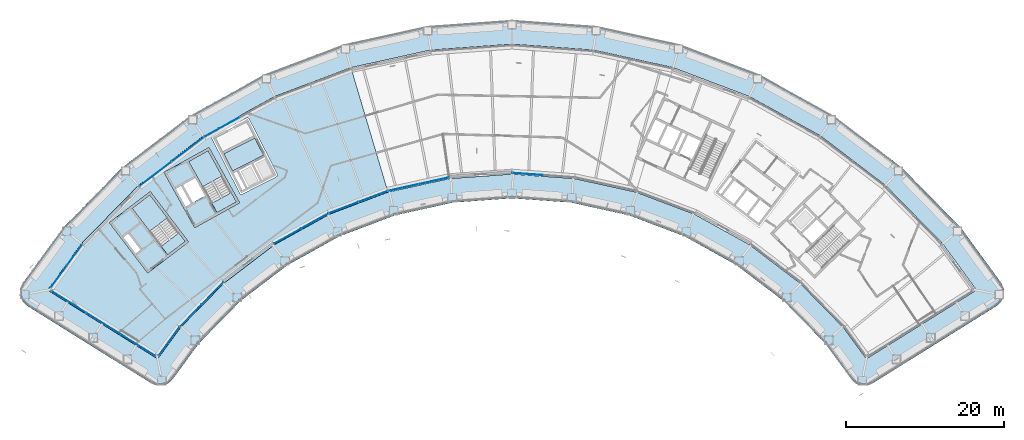
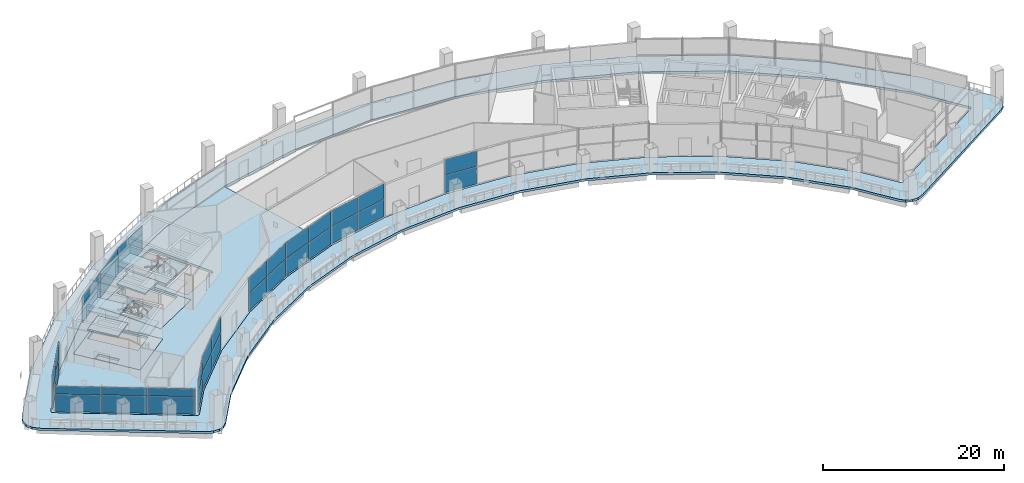
# One storey, part 13 of 28: 36 plates, 11 slabs, 12 elements without a shape of their own.
"""IFC4 building model written with IfcOpenShell, lengths in metres."""

import ifcopenshell
import ifcopenshell.guid

model = None  # the IFC model being written
_history = None  # IfcOwnerHistory: only IFC2X3 demands one
_inside = {}  # id of a spatial element -> (the spatial element, [elements in it])
_under = {}  # id of a project, library or spatial element -> (it, [spatial elements below it])
_declared = {}  # id of a project -> (the project, [libraries it declares])
_typed = {}  # id of a type object -> (the type object, [elements of that type])
_made_of = {}  # id of a material, layer set ... -> (it, [elements and type objects made of it])


def new_model(schema):
    """Start an empty IFC model of exactly this schema.

    Asked for "IFC4X3", IfcOpenShell would pick the latest addendum, in which some entities
    have other attributes; the version numbers below select the first issue.
    IFC2X3 requires an IfcOwnerHistory on every rooted entity: one is made here for all.
    """
    global model, _history
    if schema == "IFC4X3":
        model = ifcopenshell.file(schema_version=(4, 3, 0, 0))
    else:
        model = ifcopenshell.file(schema=schema)
    _inside.clear()
    _under.clear()
    _declared.clear()
    _typed.clear()
    _made_of.clear()
    _history = None
    if model.schema == "IFC2X3":
        org = make("IfcOrganization", Name="unknown")
        user = make(
            "IfcPersonAndOrganization",
            ThePerson=make("IfcPerson", FamilyName="unknown"),
            TheOrganization=org,
        )
        app = make(
            "IfcApplication",
            ApplicationDeveloper=org,
            Version="unknown",
            ApplicationFullName="unknown",
            ApplicationIdentifier="unknown",
        )
        _history = make(
            "IfcOwnerHistory",
            OwningUser=user,
            OwningApplication=app,
            ChangeAction="ADDED",
            CreationDate=0,
        )
    return model


def make(cls, **values):
    """One entity of the class cls with the attributes given. An attribute that is None is left unset."""
    return model.create_entity(
        cls, **{name: value for name, value in values.items() if value is not None}
    )


def rooted(cls, **values):
    """An entity with a GlobalId (a new one), such as an element, a storey or a relation."""
    return make(cls, GlobalId=ifcopenshell.guid.new(), OwnerHistory=_history, **values)


def si_unit(unit_type, name, prefix=None):
    """IfcSIUnit, for example si_unit("LENGTHUNIT", "METRE", prefix="MILLI")."""
    return make("IfcSIUnit", UnitType=unit_type, Prefix=prefix, Name=name)


def assignment(units):
    """IfcUnitAssignment: the units of a project."""
    return None if units is None else make("IfcUnitAssignment", Units=units)


def point(xyz):
    """IfcCartesianPoint."""
    return None if xyz is None else make("IfcCartesianPoint", Coordinates=xyz)


def direction(xyz):
    """IfcDirection."""
    return None if xyz is None else make("IfcDirection", DirectionRatios=xyz)


def frame(location, z_axis=None, x_axis=None):
    """IfcAxis2Placement3D, a coordinate frame: its origin and axes. An axis left out is left unset."""
    return make(
        "IfcAxis2Placement3D",
        Location=point(location),
        Axis=direction(z_axis),
        RefDirection=direction(x_axis),
    )


def frame_2d(location, x_axis=None):
    """IfcAxis2Placement2D, a coordinate frame in the plane: its origin and x axis."""
    return make(
        "IfcAxis2Placement2D", Location=point(location), RefDirection=direction(x_axis)
    )


def origin():
    """The frame at (0, 0, 0) with its axes left unset."""
    return frame((0.0, 0.0, 0.0))


def origin_2d():
    """The frame at (0, 0) in the plane with its x axis left unset."""
    return frame_2d((0.0, 0.0))


def place(relative_to, where):
    """IfcLocalPlacement: puts the frame where relative to a parent placement (None: the world)."""
    return make(
        "IfcLocalPlacement", PlacementRelTo=relative_to, RelativePlacement=where
    )


def context(
    kind, dimensions, precision=None, world=None, true_north=None, identifier=None
):
    """IfcGeometricRepresentationContext, for example the 3D "Model" context."""
    return make(
        "IfcGeometricRepresentationContext",
        ContextIdentifier=identifier,
        ContextType=kind,
        CoordinateSpaceDimension=dimensions,
        Precision=precision,
        WorldCoordinateSystem=world,
        TrueNorth=true_north,
    )


def subcontext(parent, identifier, kind, view, scale=None):
    """IfcGeometricRepresentationSubContext, for example "Body" below "Model"."""
    return make(
        "IfcGeometricRepresentationSubContext",
        ContextIdentifier=identifier,
        ContextType=kind,
        ParentContext=parent,
        TargetScale=scale,
        TargetView=view,
    )


def project(units=None, contexts=None):
    """IfcProject with its units and contexts."""
    return rooted(
        "IfcProject",
        Name="project",
        RepresentationContexts=contexts,
        UnitsInContext=assignment(units),
    )


def spatial(cls, under=None, at=None, **own):
    """A site, building, storey or space (cls), placed at a placement, below another one or the project."""
    s = rooted(cls, ObjectPlacement=at, **own)
    if under is not None:
        _under.setdefault(under.id(), (under, []))[1].append(s)
    return s


def polyline(points):
    """IfcPolyline through the points."""
    return make("IfcPolyline", Points=[point(p) for p in points])


def profile(cls, at=None, kind="AREA", **sizes):
    """A parametric profile (cls). Its sizes go by their IFC names, for example OverallWidth=200.0."""
    return make(cls, ProfileType=kind, Position=at, **sizes)


def rectangle(**sizes):
    """IfcRectangleProfileDef."""
    return profile("IfcRectangleProfileDef", **sizes)


def outline(outer, holes=None, kind="AREA"):
    """IfcArbitraryClosedProfileDef: a profile drawn as a closed curve; with holes, ...WithVoids."""
    if holes is None:
        return make("IfcArbitraryClosedProfileDef", ProfileType=kind, OuterCurve=outer)
    return make(
        "IfcArbitraryProfileDefWithVoids",
        ProfileType=kind,
        OuterCurve=outer,
        InnerCurves=holes,
    )


def extrude(swept, where, along, depth):
    """IfcExtrudedAreaSolid: the profile swept, set in the frame where, extruded along a direction by depth."""
    return make(
        "IfcExtrudedAreaSolid",
        SweptArea=swept,
        Position=where,
        ExtrudedDirection=direction(along),
        Depth=depth,
    )


def shape(context_of_items, identifier, shape_type, items):
    """IfcShapeRepresentation: the items that make up one representation, for example the "Body"."""
    return make(
        "IfcShapeRepresentation",
        ContextOfItems=context_of_items,
        RepresentationIdentifier=identifier,
        RepresentationType=shape_type,
        Items=items,
    )


def material(Name=None, Category=None):
    """IfcMaterial."""
    return make("IfcMaterial", Name=Name, Category=Category)


def layer(
    of_material, thickness, ventilated=None, Name=None, Category=None, Priority=None
):
    """IfcMaterialLayer: one layer of a wall or slab, of a material (None: an air gap)."""
    return make(
        "IfcMaterialLayer",
        Material=of_material,
        LayerThickness=thickness,
        IsVentilated=ventilated,
        Name=Name,
        Category=Category,
        Priority=Priority,
    )


def layer_set(layers, Name=None):
    """IfcMaterialLayerSet."""
    return make("IfcMaterialLayerSet", MaterialLayers=layers, LayerSetName=Name)


def made_of(thing, what):
    """Note that an element or type object is made of a material, layer set ...; save() writes the relation."""
    if what is not None:
        _made_of.setdefault(what.id(), (what, []))[1].append(thing)
    return thing


def type_object(cls, material=None, **own):
    """A type object (cls), such as IfcWallType, which elements share."""
    return made_of(rooted(cls, **own), material)


def element(
    cls,
    number,
    at=None,
    inside=None,
    cuts=None,
    type_object=None,
    material=None,
    context=None,
    identifier="Body",
    shape_type=None,
    held_by="IfcProductDefinitionShape",
    body=None,
    shapes=None,
    **own,
):
    """One element of the class cls, such as IfcWall. Its Tag is "e" and its number.

    at: its placement. inside: the storey or other place that contains it. cuts: it is an
    opening in that element (IfcRelVoidsElement). A single representation is given by context,
    identifier, shape_type and body (its items); several are given by shapes. held_by: the class
    of the entity that holds the representations. save() writes the other relations.
    """
    e = rooted(cls, Tag="e%d" % number, ObjectPlacement=at, **own)
    if body is not None:
        shapes = [shape(context, identifier, shape_type, body)]
    if shapes is not None:
        e.Representation = make(held_by, Representations=shapes)
    if inside is not None:
        _inside.setdefault(inside.id(), (inside, []))[1].append(e)
    if cuts is not None:
        rooted(
            "IfcRelVoidsElement", RelatingBuildingElement=cuts, RelatedOpeningElement=e
        )
    if type_object is not None:
        _typed.setdefault(type_object.id(), (type_object, []))[1].append(e)
    return made_of(e, material)


def aggregate(whole, parts):
    """IfcRelAggregates: a whole, such as a stair, and the parts it consists of."""
    return rooted("IfcRelAggregates", RelatingObject=whole, RelatedObjects=parts)


def save(model, path):
    """Write the relations noted so far, then the file.

    IfcRelAggregates (storeys below a building ...), IfcRelContainedInSpatialStructure (elements
    in a storey), IfcRelDefinesByType, IfcRelAssociatesMaterial and IfcRelDeclares: one each for
    every whole, place, type object, material and project.
    """
    for whole, parts in _under.values():
        aggregate(whole, parts)
    for where, things in _inside.values():
        rooted(
            "IfcRelContainedInSpatialStructure",
            RelatedElements=things,
            RelatingStructure=where,
        )
    for kind, things in _typed.values():
        rooted("IfcRelDefinesByType", RelatedObjects=things, RelatingType=kind)
    for what, things in _made_of.values():
        rooted("IfcRelAssociatesMaterial", RelatedObjects=things, RelatingMaterial=what)
    for by, libraries in _declared.values():
        rooted("IfcRelDeclares", RelatingContext=by, RelatedDefinitions=libraries)
    model.write(path)


model = new_model("IFC4")

# Units and contexts
model_context = context("Model", 3, precision=1e-05, world=origin(), true_north=direction((0.0, 1.0)))
body_context = subcontext(model_context, "Body", "Model", "MODEL_VIEW")
ifc_project = project(units=[si_unit("LENGTHUNIT", "METRE"), si_unit("AREAUNIT", "SQUARE_METRE"), si_unit("VOLUMEUNIT", "CUBIC_METRE"), si_unit("PLANEANGLEUNIT", "RADIAN"), si_unit("MASSUNIT", "GRAM", prefix="KILO")], contexts=[model_context])

# Site, building, storey
site_placement = place(None, origin())
site = spatial("IfcSite", under=ifc_project, at=site_placement, CompositionType="ELEMENT")
building_placement = place(site_placement, origin())
building = spatial("IfcBuilding", under=site, at=building_placement, Name="Tuul Gate Civic Tower", CompositionType="ELEMENT")
storey_placement = place(building_placement, frame((0.0, 0.0, 128.699951171875)))
storey = spatial("IfcBuildingStorey", under=building, at=storey_placement, Name="Sky garden level 1", CompositionType="ELEMENT", Elevation=128.699951171875)

# Curtain wall, plates
ifc_material_1 = material(Name="Aluminium", Category="aluminium")
ifc_layer_1 = layer(ifc_material_1, 0.199951171875)
ifc_layer_set_1 = layer_set([ifc_layer_1], Name="Aluminium")
curtain_wall_type_1 = type_object("IfcCurtainWallType", Name="Curtain wall CW3", PredefinedType="NOTDEFINED", material=ifc_layer_set_1)
curtain_wall_1_placement = place(storey_placement, origin())
curtain_wall_1 = element("IfcCurtainWall", 1, at=curtain_wall_1_placement, inside=storey, type_object=curtain_wall_type_1, Name="Curtain wall CW3", PredefinedType="NOTDEFINED")
ifc_material_2 = material(Name="Insulated glass", Category="glass")
ifc_layer_2 = layer(ifc_material_2, 0.031982421875)
ifc_layer_set_2 = layer_set([ifc_layer_2], Name="Insulated glass")
plate_type_1 = type_object("IfcPlateType", Name="CW3 panel", PredefinedType="CURTAIN_PANEL", material=ifc_layer_set_2)
plate_1_placement = place(storey_placement, frame((-45.561767578125, -15.493896484375, 0.06005859375), z_axis=(0.0, 0.0, 1.0), x_axis=(-0.589716540915, -0.807610302913, 0.0)))
plate_1 = element("IfcPlate", 2, at=plate_1_placement, type_object=plate_type_1, Name="Panel", PredefinedType="CURTAIN_PANEL", context=body_context, shape_type="SweptSolid", body=[
    extrude(rectangle(XDim=3.294677734375, YDim=0.031982421875, at=origin_2d()), origin(), (0.0, 0.0, 1.0), 2.31005859375),
])
plate_2_placement = place(storey_placement, frame((-45.561767578125, -15.493896484375, 2.43017578125), z_axis=(0.0, 0.0, 1.0), x_axis=(-0.589716540915, -0.807610302913, 0.0)))
plate_2 = element("IfcPlate", 3, at=plate_2_placement, type_object=plate_type_1, Name="Panel", PredefinedType="CURTAIN_PANEL", context=body_context, shape_type="SweptSolid", body=[
    extrude(rectangle(XDim=3.294677734375, YDim=0.031982421875, at=origin_2d()), origin(), (0.0, 0.0, 1.0), 2.110107421875),
])
plate_3_placement = place(storey_placement, frame((-47.5400390625, -18.203125, 0.06005859375), z_axis=(0.0, 0.0, 1.0), x_axis=(-0.589716540915, -0.807610302913, 0.0)))
plate_3 = element("IfcPlate", 4, at=plate_3_placement, type_object=plate_type_1, Name="Panel", PredefinedType="CURTAIN_PANEL", context=body_context, shape_type="SweptSolid", body=[
    extrude(rectangle(XDim=3.294677734375, YDim=0.031982421875, at=origin_2d()), origin(), (0.0, 0.0, 1.0), 2.31005859375),
])
plate_4_placement = place(storey_placement, frame((-47.5400390625, -18.203125, 2.43017578125), z_axis=(0.0, 0.0, 1.0), x_axis=(-0.589716540915, -0.807610302913, 0.0)))
plate_4 = element("IfcPlate", 5, at=plate_4_placement, type_object=plate_type_1, Name="Panel", PredefinedType="CURTAIN_PANEL", context=body_context, shape_type="SweptSolid", body=[
    extrude(rectangle(XDim=3.294677734375, YDim=0.031982421875, at=origin_2d()), origin(), (0.0, 0.0, 1.0), 2.110107421875),
])
aggregate(curtain_wall_1, [plate_1, plate_2, plate_3, plate_4])

curtain_wall_2_placement = place(storey_placement, origin())
curtain_wall_2 = element("IfcCurtainWall", 6, at=curtain_wall_2_placement, inside=storey, type_object=curtain_wall_type_1, Name="Curtain wall CW3", PredefinedType="NOTDEFINED")
plate_5_placement = place(storey_placement, frame((-33.5625, -26.361572265625, 0.06005859375), z_axis=(0.0, 0.0, 1.0), x_axis=(0.589775986774, 0.807566892229, 0.0)))
plate_5 = element("IfcPlate", 7, at=plate_5_placement, type_object=plate_type_1, Name="Panel", PredefinedType="CURTAIN_PANEL", context=body_context, shape_type="SweptSolid", body=[
    extrude(rectangle(XDim=4.361328125, YDim=0.031982421875, at=origin_2d()), origin(), (0.0, 0.0, 1.0), 2.31005859375),
])
plate_6_placement = place(storey_placement, frame((-33.5625, -26.361572265625, 2.43017578125), z_axis=(0.0, 0.0, 1.0), x_axis=(0.589775986774, 0.807566892229, 0.0)))
plate_6 = element("IfcPlate", 8, at=plate_6_placement, type_object=plate_type_1, Name="Panel", PredefinedType="CURTAIN_PANEL", context=body_context, shape_type="SweptSolid", body=[
    extrude(rectangle(XDim=4.361328125, YDim=0.031982421875, at=origin_2d()), origin(), (0.0, 0.0, 1.0), 2.110107421875),
])
aggregate(curtain_wall_2, [plate_5, plate_6])

curtain_wall_3_placement = place(storey_placement, origin())
curtain_wall_3 = element("IfcCurtainWall", 9, at=curtain_wall_3_placement, inside=storey, type_object=curtain_wall_type_1, Name="Curtain wall CW3", PredefinedType="NOTDEFINED")
plate_7_placement = place(storey_placement, frame((-30.8359375, -23.118896484375, 0.06005859375), z_axis=(0.0, 0.0, 1.0), x_axis=(0.700043805627, 0.714099902117, 0.0)))
plate_7 = element("IfcPlate", 10, at=plate_7_placement, type_object=plate_type_1, Name="Panel", PredefinedType="CURTAIN_PANEL", context=body_context, shape_type="SweptSolid", body=[
    extrude(rectangle(XDim=3.89404296875, YDim=0.031982421875, at=origin_2d()), origin(), (0.0, 0.0, 1.0), 2.31005859375),
])
plate_8_placement = place(storey_placement, frame((-30.8359375, -23.118896484375, 2.43017578125), z_axis=(0.0, 0.0, 1.0), x_axis=(0.700043805627, 0.714099902117, 0.0)))
plate_8 = element("IfcPlate", 11, at=plate_8_placement, type_object=plate_type_1, Name="Panel", PredefinedType="CURTAIN_PANEL", context=body_context, shape_type="SweptSolid", body=[
    extrude(rectangle(XDim=3.89404296875, YDim=0.031982421875, at=origin_2d()), origin(), (0.0, 0.0, 1.0), 2.110107421875),
])
plate_9_placement = place(storey_placement, frame((-28.068115234375, -20.295166015625, 0.06005859375), z_axis=(0.0, 0.0, 1.0), x_axis=(0.700043805627, 0.714099902117, 0.0)))
plate_9 = element("IfcPlate", 12, at=plate_9_placement, type_object=plate_type_1, Name="Panel", PredefinedType="CURTAIN_PANEL", context=body_context, shape_type="SweptSolid", body=[
    extrude(rectangle(XDim=3.89404296875, YDim=0.031982421875, at=origin_2d()), origin(), (0.0, 0.0, 1.0), 2.31005859375),
])
plate_10_placement = place(storey_placement, frame((-28.068115234375, -20.295166015625, 2.43017578125), z_axis=(0.0, 0.0, 1.0), x_axis=(0.700043805627, 0.714099902117, 0.0)))
plate_10 = element("IfcPlate", 13, at=plate_10_placement, type_object=plate_type_1, Name="Panel", PredefinedType="CURTAIN_PANEL", context=body_context, shape_type="SweptSolid", body=[
    extrude(rectangle(XDim=3.89404296875, YDim=0.031982421875, at=origin_2d()), origin(), (0.0, 0.0, 1.0), 2.110107421875),
])
aggregate(curtain_wall_3, [plate_7, plate_8, plate_9, plate_10])

curtain_wall_4_placement = place(storey_placement, origin())
curtain_wall_4 = element("IfcCurtainWall", 14, at=curtain_wall_4_placement, inside=storey, type_object=curtain_wall_type_1, Name="Curtain wall CW3", PredefinedType="NOTDEFINED")
plate_11_placement = place(storey_placement, frame((-18.567626953125, -13.06201171875, 0.06005859375), z_axis=(0.0, 0.0, 1.0), x_axis=(0.874618631094, 0.484811561479, 0.0)))
plate_11 = element("IfcPlate", 15, at=plate_11_placement, type_object=plate_type_1, Name="Panel", PredefinedType="CURTAIN_PANEL", context=body_context, shape_type="SweptSolid", body=[
    extrude(rectangle(XDim=3.89404296875, YDim=0.031982421875, at=origin_2d()), origin(), (0.0, 0.0, 1.0), 2.31005859375),
])
plate_12_placement = place(storey_placement, frame((-18.567626953125, -13.06201171875, 2.43017578125), z_axis=(0.0, 0.0, 1.0), x_axis=(0.874618631094, 0.484811561479, 0.0)))
plate_12 = element("IfcPlate", 16, at=plate_12_placement, type_object=plate_type_1, Name="Panel", PredefinedType="CURTAIN_PANEL", context=body_context, shape_type="SweptSolid", body=[
    extrude(rectangle(XDim=3.89404296875, YDim=0.031982421875, at=origin_2d()), origin(), (0.0, 0.0, 1.0), 2.110107421875),
])
plate_13_placement = place(storey_placement, frame((-15.109375, -11.14501953125, 0.06005859375), z_axis=(0.0, 0.0, 1.0), x_axis=(0.874618631094, 0.484811561479, 0.0)))
plate_13 = element("IfcPlate", 17, at=plate_13_placement, type_object=plate_type_1, Name="Panel", PredefinedType="CURTAIN_PANEL", context=body_context, shape_type="SweptSolid", body=[
    extrude(rectangle(XDim=3.89404296875, YDim=0.031982421875, at=origin_2d()), origin(), (0.0, 0.0, 1.0), 2.31005859375),
])
plate_14_placement = place(storey_placement, frame((-15.109375, -11.14501953125, 2.43017578125), z_axis=(0.0, 0.0, 1.0), x_axis=(0.874618631094, 0.484811561479, 0.0)))
plate_14 = element("IfcPlate", 18, at=plate_14_placement, type_object=plate_type_1, Name="Panel", PredefinedType="CURTAIN_PANEL", context=body_context, shape_type="SweptSolid", body=[
    extrude(rectangle(XDim=3.89404296875, YDim=0.031982421875, at=origin_2d()), origin(), (0.0, 0.0, 1.0), 2.110107421875),
])
aggregate(curtain_wall_4, [plate_11, plate_12, plate_13, plate_14])

curtain_wall_5_placement = place(storey_placement, origin())
curtain_wall_5 = element("IfcCurtainWall", 19, at=curtain_wall_5_placement, inside=storey, type_object=curtain_wall_type_1, Name="Curtain wall CW3", PredefinedType="NOTDEFINED")
plate_15_placement = place(storey_placement, frame((-11.4765625, -9.4619140625, 0.06005859375), z_axis=(0.0, 0.0, 1.0), x_axis=(0.935345738127, 0.353734858569, 0.0)))
plate_15 = element("IfcPlate", 20, at=plate_15_placement, type_object=plate_type_1, Name="Panel", PredefinedType="CURTAIN_PANEL", context=body_context, shape_type="SweptSolid", body=[
    extrude(rectangle(XDim=3.89453125, YDim=0.031982421875, at=origin_2d()), origin(), (0.0, 0.0, 1.0), 2.31005859375),
])
plate_16_placement = place(storey_placement, frame((-11.4765625, -9.4619140625, 2.43017578125), z_axis=(0.0, 0.0, 1.0), x_axis=(0.935345738127, 0.353734858569, 0.0)))
plate_16 = element("IfcPlate", 21, at=plate_16_placement, type_object=plate_type_1, Name="Panel", PredefinedType="CURTAIN_PANEL", context=body_context, shape_type="SweptSolid", body=[
    extrude(rectangle(XDim=3.89453125, YDim=0.031982421875, at=origin_2d()), origin(), (0.0, 0.0, 1.0), 2.110107421875),
])
plate_17_placement = place(storey_placement, frame((-7.777587890625, -8.06298828125, 0.06005859375), z_axis=(0.0, 0.0, 1.0), x_axis=(0.935345738127, 0.353734858569, 0.0)))
plate_17 = element("IfcPlate", 22, at=plate_17_placement, type_object=plate_type_1, Name="Panel", PredefinedType="CURTAIN_PANEL", context=body_context, shape_type="SweptSolid", body=[
    extrude(rectangle(XDim=3.89453125, YDim=0.031982421875, at=origin_2d()), origin(), (0.0, 0.0, 1.0), 2.31005859375),
])
plate_18_placement = place(storey_placement, frame((-7.777587890625, -8.06298828125, 2.43017578125), z_axis=(0.0, 0.0, 1.0), x_axis=(0.935345738127, 0.353734858569, 0.0)))
plate_18 = element("IfcPlate", 23, at=plate_18_placement, type_object=plate_type_1, Name="Panel", PredefinedType="CURTAIN_PANEL", context=body_context, shape_type="SweptSolid", body=[
    extrude(rectangle(XDim=3.89453125, YDim=0.031982421875, at=origin_2d()), origin(), (0.0, 0.0, 1.0), 2.110107421875),
])
aggregate(curtain_wall_5, [plate_15, plate_16, plate_17, plate_18])

curtain_wall_6_placement = place(storey_placement, origin())
curtain_wall_6 = element("IfcCurtainWall", 24, at=curtain_wall_6_placement, inside=storey, type_object=curtain_wall_type_1, Name="Curtain wall CW3", PredefinedType="NOTDEFINED")
plate_19_placement = place(storey_placement, frame((-3.940185546875, -6.921142578125, 0.06005859375), z_axis=(0.0, 0.0, 1.0), x_axis=(0.976560642171, 0.215242449721, 0.0)))
plate_19 = element("IfcPlate", 25, at=plate_19_placement, type_object=plate_type_1, Name="Panel", PredefinedType="CURTAIN_PANEL", context=body_context, shape_type="SweptSolid", body=[
    extrude(rectangle(XDim=3.893798828125, YDim=0.031982421875, at=origin_2d()), origin(), (0.0, 0.0, 1.0), 2.31005859375),
])
plate_20_placement = place(storey_placement, frame((-3.940185546875, -6.921142578125, 2.43017578125), z_axis=(0.0, 0.0, 1.0), x_axis=(0.976560642171, 0.215242449721, 0.0)))
plate_20 = element("IfcPlate", 26, at=plate_20_placement, type_object=plate_type_1, Name="Panel", PredefinedType="CURTAIN_PANEL", context=body_context, shape_type="SweptSolid", body=[
    extrude(rectangle(XDim=3.893798828125, YDim=0.031982421875, at=origin_2d()), origin(), (0.0, 0.0, 1.0), 2.110107421875),
])
plate_21_placement = place(storey_placement, frame((-0.078857421875, -6.070068359375, 0.06005859375), z_axis=(0.0, 0.0, 1.0), x_axis=(0.976560642171, 0.215242449721, 0.0)))
plate_21 = element("IfcPlate", 27, at=plate_21_placement, type_object=plate_type_1, Name="Panel", PredefinedType="CURTAIN_PANEL", context=body_context, shape_type="SweptSolid", body=[
    extrude(rectangle(XDim=3.893798828125, YDim=0.031982421875, at=origin_2d()), origin(), (0.0, 0.0, 1.0), 2.31005859375),
])
plate_22_placement = place(storey_placement, frame((-0.078857421875, -6.070068359375, 2.43017578125), z_axis=(0.0, 0.0, 1.0), x_axis=(0.976560642171, 0.215242449721, 0.0)))
plate_22 = element("IfcPlate", 28, at=plate_22_placement, type_object=plate_type_1, Name="Panel", PredefinedType="CURTAIN_PANEL", context=body_context, shape_type="SweptSolid", body=[
    extrude(rectangle(XDim=3.893798828125, YDim=0.031982421875, at=origin_2d()), origin(), (0.0, 0.0, 1.0), 2.110107421875),
])
aggregate(curtain_wall_6, [plate_19, plate_20, plate_21, plate_22])

curtain_wall_7_placement = place(storey_placement, origin())
curtain_wall_7 = element("IfcCurtainWall", 29, at=curtain_wall_7_placement, inside=storey, type_object=curtain_wall_type_1, Name="Curtain wall CW3", PredefinedType="NOTDEFINED")
plate_23_placement = place(storey_placement, frame((11.830810546875, -5.207763671875, 0.06005859375), z_axis=(0.0, 0.0, 1.0), x_axis=(0.997392657117, -0.072165694963, 0.0)))
plate_23 = element("IfcPlate", 30, at=plate_23_placement, type_object=plate_type_1, Name="Panel", PredefinedType="CURTAIN_PANEL", context=body_context, shape_type="SweptSolid", body=[
    extrude(rectangle(XDim=3.893798828125, YDim=0.031982421875, at=origin_2d()), origin(), (0.0, 0.0, 1.0), 2.31005859375),
])
plate_24_placement = place(storey_placement, frame((11.830810546875, -5.207763671875, 2.43017578125), z_axis=(0.0, 0.0, 1.0), x_axis=(0.997392657117, -0.072165694963, 0.0)))
plate_24 = element("IfcPlate", 31, at=plate_24_placement, type_object=plate_type_1, Name="Panel", PredefinedType="CURTAIN_PANEL", context=body_context, shape_type="SweptSolid", body=[
    extrude(rectangle(XDim=3.893798828125, YDim=0.031982421875, at=origin_2d()), origin(), (0.0, 0.0, 1.0), 2.110107421875),
])
aggregate(curtain_wall_7, [plate_23, plate_24])

ifc_material_3 = material(Name="Aluminium", Category="aluminium")
ifc_layer_3 = layer(ifc_material_3, 0.199951171875)
ifc_layer_set_3 = layer_set([ifc_layer_3], Name="Aluminium")
curtain_wall_type_2 = type_object("IfcCurtainWallType", Name="Curtain wall CW3A", PredefinedType="NOTDEFINED", material=ifc_layer_set_3)
curtain_wall_8_placement = place(storey_placement, origin())
curtain_wall_8 = element("IfcCurtainWall", 32, at=curtain_wall_8_placement, inside=storey, type_object=curtain_wall_type_2, Name="Curtain wall CW3A", PredefinedType="NOTDEFINED")
ifc_material_4 = material(Name="Insulated glass", Category="glass")
ifc_layer_4 = layer(ifc_material_4, 0.031982421875)
ifc_layer_set_4 = layer_set([ifc_layer_4], Name="Insulated glass")
plate_type_2 = type_object("IfcPlateType", Name="CW3A panel", PredefinedType="CURTAIN_PANEL", material=ifc_layer_set_4)
plate_25_placement = place(storey_placement, frame((-26.882568359375, 0.73681640625, 0.06005859375), z_axis=(0.0, 0.0, 1.0), x_axis=(-0.874610249079, -0.484826682646, 0.0)))
plate_25 = element("IfcPlate", 33, at=plate_25_placement, type_object=plate_type_2, Name="Panel", PredefinedType="CURTAIN_PANEL", context=body_context, shape_type="SweptSolid", body=[
    extrude(rectangle(XDim=5.060302734375, YDim=0.031982421875, at=origin_2d()), origin(), (0.0, 0.0, 1.0), 2.31005859375),
])
plate_26_placement = place(storey_placement, frame((-26.882568359375, 0.73681640625, 2.43017578125), z_axis=(0.0, 0.0, 1.0), x_axis=(-0.874610249079, -0.484826682646, 0.0)))
plate_26 = element("IfcPlate", 34, at=plate_26_placement, type_object=plate_type_2, Name="Panel", PredefinedType="CURTAIN_PANEL", context=body_context, shape_type="SweptSolid", body=[
    extrude(rectangle(XDim=5.060302734375, YDim=0.031982421875, at=origin_2d()), origin(), (0.0, 0.0, 1.0), 1.054931640625),
])
aggregate(curtain_wall_8, [plate_25, plate_26])

curtain_wall_9_placement = place(storey_placement, origin())
curtain_wall_9 = element("IfcCurtainWall", 35, at=curtain_wall_9_placement, inside=storey, type_object=curtain_wall_type_2, Name="Curtain wall CW3A", PredefinedType="NOTDEFINED")
plate_27_placement = place(storey_placement, frame((-31.208984375, -2.088134765625, 0.06005859375), z_axis=(0.0, 0.0, 1.0), x_axis=(-0.795645602675, -0.60576239149, 0.0)))
plate_27 = element("IfcPlate", 36, at=plate_27_placement, type_object=plate_type_2, Name="Panel", PredefinedType="CURTAIN_PANEL", context=body_context, shape_type="SweptSolid", body=[
    extrude(rectangle(XDim=5.060546875, YDim=0.031982421875, at=origin_2d()), origin(), (0.0, 0.0, 1.0), 2.31005859375),
])
plate_28_placement = place(storey_placement, frame((-31.208984375, -2.088134765625, 2.43017578125), z_axis=(0.0, 0.0, 1.0), x_axis=(-0.795645602675, -0.60576239149, 0.0)))
plate_28 = element("IfcPlate", 37, at=plate_28_placement, type_object=plate_type_2, Name="Panel", PredefinedType="CURTAIN_PANEL", context=body_context, shape_type="SweptSolid", body=[
    extrude(rectangle(XDim=5.060546875, YDim=0.031982421875, at=origin_2d()), origin(), (0.0, 0.0, 1.0), 1.054931640625),
])
plate_29_placement = place(storey_placement, frame((-35.282958984375, -5.18994140625, 0.06005859375), z_axis=(0.0, 0.0, 1.0), x_axis=(-0.795645602675, -0.60576239149, 0.0)))
plate_29 = element("IfcPlate", 38, at=plate_29_placement, type_object=plate_type_2, Name="Panel", PredefinedType="CURTAIN_PANEL", context=body_context, shape_type="SweptSolid", body=[
    extrude(rectangle(XDim=5.060546875, YDim=0.031982421875, at=origin_2d()), origin(), (0.0, 0.0, 1.0), 2.31005859375),
])
plate_30_placement = place(storey_placement, frame((-35.282958984375, -5.18994140625, 2.43017578125), z_axis=(0.0, 0.0, 1.0), x_axis=(-0.795645602675, -0.60576239149, 0.0)))
plate_30 = element("IfcPlate", 39, at=plate_30_placement, type_object=plate_type_2, Name="Panel", PredefinedType="CURTAIN_PANEL", context=body_context, shape_type="SweptSolid", body=[
    extrude(rectangle(XDim=5.060546875, YDim=0.031982421875, at=origin_2d()), origin(), (0.0, 0.0, 1.0), 1.054931640625),
])
aggregate(curtain_wall_9, [plate_27, plate_28, plate_29, plate_30])

curtain_wall_10_placement = place(storey_placement, origin())
curtain_wall_10 = element("IfcCurtainWall", 40, at=curtain_wall_10_placement, inside=storey, type_object=curtain_wall_type_2, Name="Curtain wall CW3A", PredefinedType="NOTDEFINED")
plate_31_placement = place(storey_placement, frame((-46.2548828125, -21.3935546875, 0.06005859375), z_axis=(0.0, 0.0, 1.0), x_axis=(0.848023607876, -0.52995845166, 0.0)))
plate_31 = element("IfcPlate", 41, at=plate_31_placement, type_object=plate_type_2, Name="Panel", PredefinedType="CURTAIN_PANEL", context=body_context, shape_type="SweptSolid", body=[
    extrude(rectangle(XDim=5.09033203125, YDim=0.031982421875, at=origin_2d()), origin(), (0.0, 0.0, 1.0), 2.31005859375),
])
plate_32_placement = place(storey_placement, frame((-46.2548828125, -21.3935546875, 2.43017578125), z_axis=(0.0, 0.0, 1.0), x_axis=(0.848023607876, -0.52995845166, 0.0)))
plate_32 = element("IfcPlate", 42, at=plate_32_placement, type_object=plate_type_2, Name="Panel", PredefinedType="CURTAIN_PANEL", context=body_context, shape_type="SweptSolid", body=[
    extrude(rectangle(XDim=5.09033203125, YDim=0.031982421875, at=origin_2d()), origin(), (0.0, 0.0, 1.0), 1.054931640625),
])
plate_33_placement = place(storey_placement, frame((-41.87451171875, -24.131103515625, 0.06005859375), z_axis=(0.0, 0.0, 1.0), x_axis=(0.848023607876, -0.52995845166, 0.0)))
plate_33 = element("IfcPlate", 43, at=plate_33_placement, type_object=plate_type_2, Name="Panel", PredefinedType="CURTAIN_PANEL", context=body_context, shape_type="SweptSolid", body=[
    extrude(rectangle(XDim=5.120361328125, YDim=0.031982421875, at=origin_2d()), origin(), (0.0, 0.0, 1.0), 2.31005859375),
])
plate_34_placement = place(storey_placement, frame((-41.87451171875, -24.131103515625, 2.43017578125), z_axis=(0.0, 0.0, 1.0), x_axis=(0.848023607876, -0.52995845166, 0.0)))
plate_34 = element("IfcPlate", 44, at=plate_34_placement, type_object=plate_type_2, Name="Panel", PredefinedType="CURTAIN_PANEL", context=body_context, shape_type="SweptSolid", body=[
    extrude(rectangle(XDim=5.120361328125, YDim=0.031982421875, at=origin_2d()), origin(), (0.0, 0.0, 1.0), 1.054931640625),
])
plate_35_placement = place(storey_placement, frame((-37.494140625, -26.868408203125, 0.06005859375), z_axis=(0.0, 0.0, 1.0), x_axis=(0.848023607876, -0.52995845166, 0.0)))
plate_35 = element("IfcPlate", 45, at=plate_35_placement, type_object=plate_type_2, Name="Panel", PredefinedType="CURTAIN_PANEL", context=body_context, shape_type="SweptSolid", body=[
    extrude(rectangle(XDim=5.09033203125, YDim=0.031982421875, at=origin_2d()), origin(), (0.0, 0.0, 1.0), 2.31005859375),
])
plate_36_placement = place(storey_placement, frame((-37.494140625, -26.868408203125, 2.43017578125), z_axis=(0.0, 0.0, 1.0), x_axis=(0.848023607876, -0.52995845166, 0.0)))
plate_36 = element("IfcPlate", 46, at=plate_36_placement, type_object=plate_type_2, Name="Panel", PredefinedType="CURTAIN_PANEL", context=body_context, shape_type="SweptSolid", body=[
    extrude(rectangle(XDim=5.09033203125, YDim=0.031982421875, at=origin_2d()), origin(), (0.0, 0.0, 1.0), 1.054931640625),
])
aggregate(curtain_wall_10, [plate_31, plate_32, plate_33, plate_34, plate_35, plate_36])

# Slabs
ifc_material_5 = material(Name="Concrete C40/50", Category="concrete")
ifc_layer_5 = layer(ifc_material_5, 0.300048828125)
ifc_layer_set_5 = layer_set([ifc_layer_5], Name="Concrete C40/50")
slab_type_1 = type_object("IfcSlabType", Name="Core floor slab 300", PredefinedType="FLOOR", material=ifc_layer_set_5)
slab_1_placement = place(storey_placement, frame((0.0, 0.0, -0.300048828125)))
element("IfcSlab", 47, at=slab_1_placement, inside=storey, type_object=slab_type_1, Name="FLOOR SLAB", PredefinedType="FLOOR", context=body_context, shape_type="SweptSolid", body=[
    extrude(outline(polyline([(-31.10009765625, -13.7890625), (-35.946044921875, -7.423828125), (-41.11767578125, -11.361572265625), (-36.271484375, -17.726806640625), (-31.10009765625, -13.7890625)]), holes=[polyline([(-37.19287109375, -14.783203125), (-38.737548828125, -12.75439453125), (-39.45361328125, -13.299560546875), (-37.908935546875, -15.328369140625), (-37.19287109375, -14.783203125)]), polyline([(-32.33935546875, -12.65771484375), (-34.56591796875, -14.352783203125), (-38.229736328125, -9.54052734375), (-36.003173828125, -7.845458984375), (-32.33935546875, -12.65771484375)])]), origin(), (0.0, 0.0, 1.0), 0.300048828125),
])
slab_2_placement = place(storey_placement, frame((0.0, 0.0, -0.300048828125)))
element("IfcSlab", 48, at=slab_2_placement, inside=storey, type_object=slab_type_1, Name="FLOOR SLAB", PredefinedType="FLOOR", context=body_context, shape_type="SweptSolid", body=[
    extrude(outline(polyline([(-24.638916015625, -8.846923828125), (-28.51708984375, -1.849853515625), (-34.2021484375, -5.0009765625), (-30.32421875, -11.998046875), (-24.638916015625, -8.846923828125)]), holes=[polyline([(-29.0185546875, -7.958740234375), (-30.254638671875, -5.728515625), (-31.785400390625, -6.576904296875), (-30.54931640625, -8.80712890625), (-29.0185546875, -7.958740234375)]), polyline([(-30.8115234375, -8.95263671875), (-32.047607421875, -6.72216796875), (-32.8349609375, -7.158447265625), (-31.5986328125, -9.388916015625), (-30.8115234375, -8.95263671875)]), polyline([(-25.702392578125, -7.548828125), (-28.14990234375, -8.905517578125), (-31.08203125, -3.615234375), (-28.63427734375, -2.2587890625), (-25.702392578125, -7.548828125)])]), origin(), (0.0, 0.0, 1.0), 0.300048828125),
])
ifc_material_6 = material(Name="Concrete C40/50", Category="concrete")
ifc_layer_6 = layer(ifc_material_6, 0.300048828125)
ifc_layer_set_6 = layer_set([ifc_layer_6], Name="Concrete C40/50")
slab_type_2 = type_object("IfcSlabType", Name="Core floor slab 300 non-bearing", PredefinedType="FLOOR", material=ifc_layer_set_6)
slab_3_placement = place(storey_placement, frame((0.0, 0.0, -0.300048828125)))
element("IfcSlab", 49, at=slab_3_placement, inside=storey, type_object=slab_type_2, Name="FLOOR SLAB", PredefinedType="FLOOR", context=body_context, shape_type="SweptSolid", body=[
    extrude(outline(polyline([(-26.64306640625, -2.643798828125), (-22.72265625, -0.646240234375), (-21.6103515625, -2.8291015625), (-25.53076171875, -4.82666015625), (-26.64306640625, -2.643798828125)])), origin(), (0.0, 0.0, 1.0), 0.300048828125),
])

# Stair, slabs
ifc_material_7 = material(Name="Concrete C40/50", Category="concrete")
stair_type = type_object("IfcStairType", Name="Exit stair", PredefinedType="HALF_TURN_STAIR", material=ifc_material_7)
stair_1_placement = place(storey_placement, origin())
stair_1 = element("IfcStair", 50, at=stair_1_placement, inside=storey, type_object=stair_type, Name="Sky garden level 1 ST-1", PredefinedType="HALF_TURN_STAIR")
ifc_material_8 = material(Name="Concrete C40/50", Category="concrete")
ifc_layer_7 = layer(ifc_material_8, 0.199951171875)
ifc_layer_set_7 = layer_set([ifc_layer_7], Name="Concrete C40/50")
slab_type_3 = type_object("IfcSlabType", Name="Exit stair landing", PredefinedType="LANDING", material=ifc_layer_set_7)
slab_4_placement = place(storey_placement, frame((0.0, 0.0, 1.050048828125)))
slab_4 = element("IfcSlab", 51, at=slab_4_placement, type_object=slab_type_3, Name="ST-1 landing 1", PredefinedType="LANDING", context=body_context, shape_type="SweptSolid", body=[
    extrude(outline(polyline([(-33.791015625, -10.74853515625), (-36.02001953125, -12.445556640625), (-38.23193359375, -9.540283203125), (-36.0029296875, -7.843017578125), (-33.791015625, -10.74853515625)])), origin(), (0.0, 0.0, 1.0), 0.199951171875),
])
slab_5_placement = place(storey_placement, frame((0.0, 0.0, 2.300048828125)))
slab_5 = element("IfcSlab", 52, at=slab_5_placement, type_object=slab_type_3, Name="ST-1 landing 2", PredefinedType="LANDING", context=body_context, shape_type="SweptSolid", body=[
    extrude(outline(polyline([(-31.519287109375, -13.732177734375), (-33.748291015625, -15.42919921875), (-34.567138671875, -14.353759765625), (-32.338134765625, -12.65673828125), (-31.519287109375, -13.732177734375)])), origin(), (0.0, 0.0, 1.0), 0.199951171875),
])
slab_6_placement = place(storey_placement, frame((0.0, 0.0, 3.550048828125)))
slab_6 = element("IfcSlab", 53, at=slab_6_placement, type_object=slab_type_3, Name="ST-1 landing 3", PredefinedType="LANDING", context=body_context, shape_type="SweptSolid", body=[
    extrude(outline(polyline([(-33.791015625, -10.74853515625), (-36.02001953125, -12.445556640625), (-38.23193359375, -9.540283203125), (-36.0029296875, -7.843017578125), (-33.791015625, -10.74853515625)])), origin(), (0.0, 0.0, 1.0), 0.199951171875),
])
aggregate(stair_1, [slab_4, slab_5, slab_6])

stair_2_placement = place(storey_placement, origin())
stair_2 = element("IfcStair", 54, at=stair_2_placement, inside=storey, type_object=stair_type, Name="Sky garden level 1 ST-2", PredefinedType="HALF_TURN_STAIR")
slab_7_placement = place(storey_placement, frame((0.0, 0.0, 1.050048828125)))
slab_7 = element("IfcSlab", 55, at=slab_7_placement, type_object=slab_type_3, Name="ST-2 landing 1", PredefinedType="LANDING", context=body_context, shape_type="SweptSolid", body=[
    extrude(outline(polyline([(-26.863525390625, -5.450439453125), (-29.31396484375, -6.80859375), (-31.084228515625, -3.61474609375), (-28.6337890625, -2.256591796875), (-26.863525390625, -5.450439453125)])), origin(), (0.0, 0.0, 1.0), 0.199951171875),
])
slab_8_placement = place(storey_placement, frame((0.0, 0.0, 2.300048828125)))
slab_8 = element("IfcSlab", 56, at=slab_8_placement, type_object=slab_type_3, Name="ST-2 landing 2", PredefinedType="LANDING", context=body_context, shape_type="SweptSolid", body=[
    extrude(outline(polyline([(-25.045654296875, -8.730224609375), (-27.49609375, -10.08837890625), (-28.1513671875, -8.90625), (-25.700927734375, -7.548095703125), (-25.045654296875, -8.730224609375)])), origin(), (0.0, 0.0, 1.0), 0.199951171875),
])
slab_9_placement = place(storey_placement, frame((0.0, 0.0, 3.550048828125)))
slab_9 = element("IfcSlab", 57, at=slab_9_placement, type_object=slab_type_3, Name="ST-2 landing 3", PredefinedType="LANDING", context=body_context, shape_type="SweptSolid", body=[
    extrude(outline(polyline([(-26.863525390625, -5.450439453125), (-29.31396484375, -6.80859375), (-31.084228515625, -3.61474609375), (-28.6337890625, -2.256591796875), (-26.863525390625, -5.450439453125)])), origin(), (0.0, 0.0, 1.0), 0.199951171875),
])
aggregate(stair_2, [slab_7, slab_8, slab_9])

# Slabs
ifc_material_9 = material(Name="Concrete C35/45", Category="concrete")
ifc_layer_8 = layer(ifc_material_9, 0.300048828125)
ifc_layer_set_8 = layer_set([ifc_layer_8], Name="Concrete C35/45")
slab_type_4 = type_object("IfcSlabType", Name="STR-FLOOR-SLAB-300", PredefinedType="FLOOR", material=ifc_layer_set_8)
slab_10_placement = place(storey_placement, frame((0.0, 0.0, -0.300048828125)))
element("IfcSlab", 58, at=slab_10_placement, inside=storey, type_object=slab_type_4, Name="Sky garden level 1/slab/W", PredefinedType="FLOOR", context=body_context, shape_type="SweptSolid", body=[
    extrude(outline(polyline([(-5.85791015625, -7.4970703125), (-10.547119140625, 8.262939453125), (-20.201904296875, 4.611083984375), (-29.23095703125, -0.39306640625), (-37.443115234375, -6.64599609375), (-44.6689453125, -14.01806640625), (-48.763916015625, -19.6240234375), (-48.81396484375, -19.735107421875), (-48.81591796875, -19.85693359375), (-48.76904296875, -19.969970703125), (-48.679931640625, -20.054931640625), (-35.24609375, -28.449951171875), (-35.14208984375, -28.489990234375), (-35.030029296875, -28.489990234375), (-34.926025390625, -28.448974609375), (-34.844970703125, -28.3720703125), (-32.1259765625, -24.64990234375), (-26.56298828125, -18.97509765625), (-20.240966796875, -14.160888671875), (-13.2900390625, -10.30810546875), (-5.85791015625, -7.4970703125)]), holes=[polyline([(-31.10009765625, -13.7890625), (-36.27197265625, -17.72705078125), (-41.117919921875, -11.362060546875), (-35.946044921875, -7.424072265625), (-31.10009765625, -13.7890625)]), polyline([(-30.323974609375, -11.998046875), (-34.201904296875, -5.0009765625), (-28.51708984375, -1.85009765625), (-24.638916015625, -8.846923828125), (-30.323974609375, -11.998046875)]), polyline([(-24.367919921875, -7.77001953125), (-24.570068359375, -7.7041015625), (-28.201904296875, -0.575927734375), (-28.135986328125, -0.3740234375), (-23.680908203125, 1.89599609375), (-23.47900390625, 1.830078125), (-19.846923828125, -5.298095703125), (-19.9130859375, -5.5), (-24.367919921875, -7.77001953125)])]), origin(), (0.0, 0.0, 1.0), 0.300048828125),
])
ifc_material_10 = material(Name="Concrete C40/50", Category="concrete")
ifc_layer_9 = layer(ifc_material_10, 0.300048828125)
ifc_layer_set_9 = layer_set([ifc_layer_9], Name="Concrete C40/50")
slab_type_5 = type_object("IfcSlabType", Name="STR-TERRACE-SLAB-300", PredefinedType="ROOF", material=ifc_layer_set_9)
slab_11_placement = place(storey_placement, frame((0.0, 0.0, -0.300048828125)))
element("IfcSlab", 59, at=slab_11_placement, inside=storey, type_object=slab_type_5, Name="terrace 1", PredefinedType="ROOF", context=body_context, shape_type="SweptSolid", body=[
    extrude(outline(polyline([(55.455078125, -31.701904296875), (54.760986328125, -31.971923828125), (54.01611328125, -31.968994140625), (53.323974609375, -31.694091796875), (52.780029296875, -31.18505859375), (49.450927734375, -26.626953125), (44.197021484375, -21.26806640625), (38.22607421875, -16.720947265625), (31.6630859375, -13.0830078125), (24.64306640625, -10.427978515625), (17.31396484375, -8.81298828125), (9.8291015625, -8.27099609375), (2.343994140625, -8.81298828125), (-4.985107421875, -10.427978515625), (-12.0048828125, -13.0830078125), (-18.569091796875, -16.720947265625), (-24.5400390625, -21.26806640625), (-29.79296875, -26.626953125), (-33.1220703125, -31.18505859375), (-33.666015625, -31.694091796875), (-34.35791015625, -31.968994140625), (-35.10302734375, -31.971923828125), (-35.797119140625, -31.701904296875), (-51.527099609375, -21.8720703125), (-52.116943359375, -21.30810546875), (-52.430908203125, -20.555908203125), (-52.4189453125, -19.739990234375), (-52.0830078125, -18.9970703125), (-47.001953125, -12.0400390625), (-39.467041015625, -4.35302734375), (-30.902099609375, 2.1669921875), (-21.488037109375, 7.385986328125), (-11.4189453125, 11.194091796875), (-0.906982421875, 13.510009765625), (9.8291015625, 14.2880859375), (20.56494140625, 13.510009765625), (31.076904296875, 11.194091796875), (41.14501953125, 7.385986328125), (50.56005859375, 2.1669921875), (59.1240234375, -4.35302734375), (66.659912109375, -12.0400390625), (71.739990234375, -18.9970703125), (72.076904296875, -19.739990234375), (72.089111328125, -20.555908203125), (71.77392578125, -21.30810546875), (71.18505859375, -21.8720703125), (55.455078125, -31.701904296875)]), holes=[polyline([(68.426025390625, -19.969970703125), (68.47412109375, -19.85693359375), (68.471923828125, -19.735107421875), (68.4208984375, -19.6240234375), (64.326904296875, -14.01806640625), (57.10107421875, -6.64599609375), (48.887939453125, -0.39306640625), (39.860107421875, 4.611083984375), (30.205078125, 8.262939453125), (20.1240234375, 10.48388671875), (9.8291015625, 11.22998046875), (-0.467041015625, 10.48388671875), (-10.547119140625, 8.262939453125), (-20.201904296875, 4.611083984375), (-29.23095703125, -0.39306640625), (-37.443115234375, -6.64599609375), (-44.6689453125, -14.01806640625), (-48.763916015625, -19.6240234375), (-48.81396484375, -19.735107421875), (-48.81591796875, -19.85693359375), (-48.76904296875, -19.969970703125), (-48.679931640625, -20.054931640625), (-35.24609375, -28.449951171875), (-35.14208984375, -28.489990234375), (-35.030029296875, -28.489990234375), (-34.926025390625, -28.448974609375), (-34.844970703125, -28.3720703125), (-32.1259765625, -24.64990234375), (-26.56298828125, -18.97509765625), (-20.240966796875, -14.160888671875), (-13.2900390625, -10.30810546875), (-5.85791015625, -7.4970703125), (1.903076171875, -5.787109375), (9.8291015625, -5.212890625), (17.7548828125, -5.787109375), (25.514892578125, -7.4970703125), (32.947998046875, -10.30810546875), (39.89794921875, -14.160888671875), (46.220947265625, -18.97509765625), (51.783935546875, -24.64990234375), (54.501953125, -28.3720703125), (54.583984375, -28.448974609375), (54.68798828125, -28.489990234375), (54.800048828125, -28.489990234375), (54.904052734375, -28.449951171875), (68.337890625, -20.054931640625), (68.426025390625, -19.969970703125)])]), origin(), (0.0, 0.0, 1.0), 0.300048828125),
])

save(model, "model.ifc")
